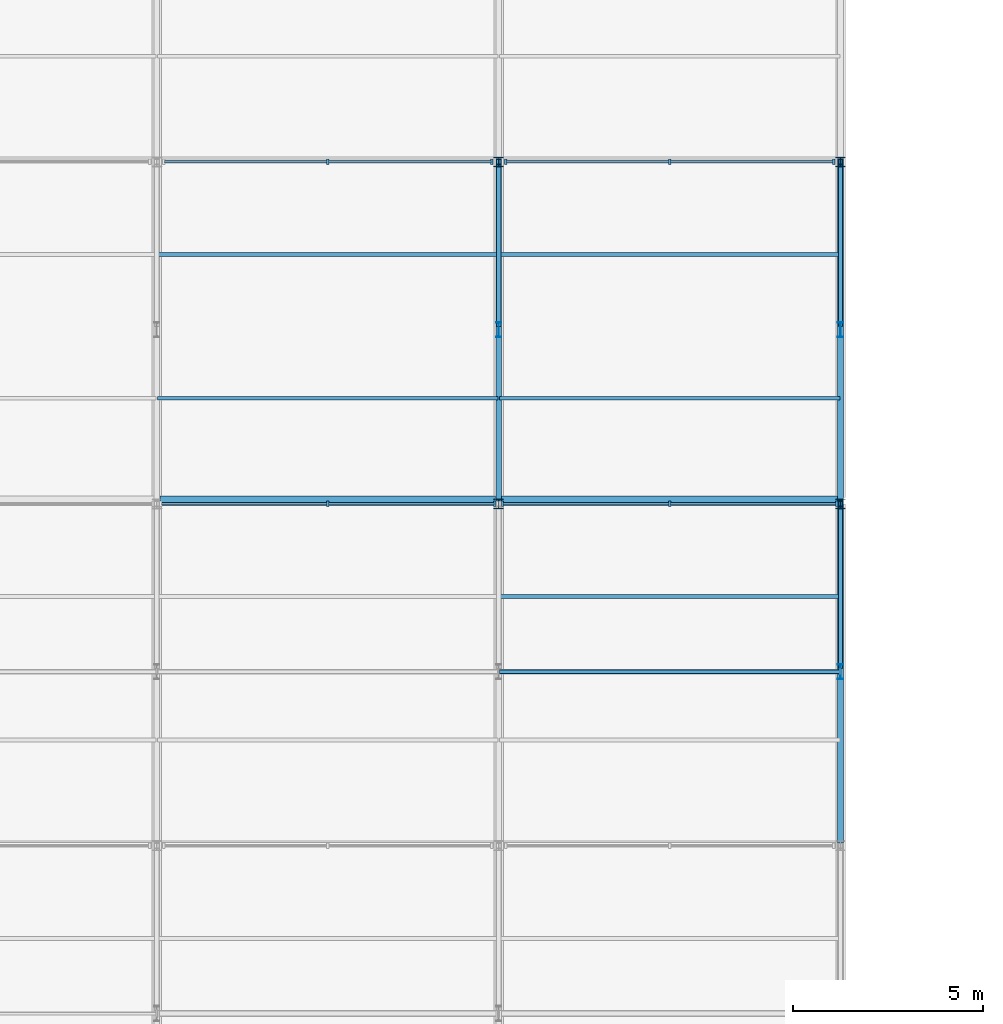
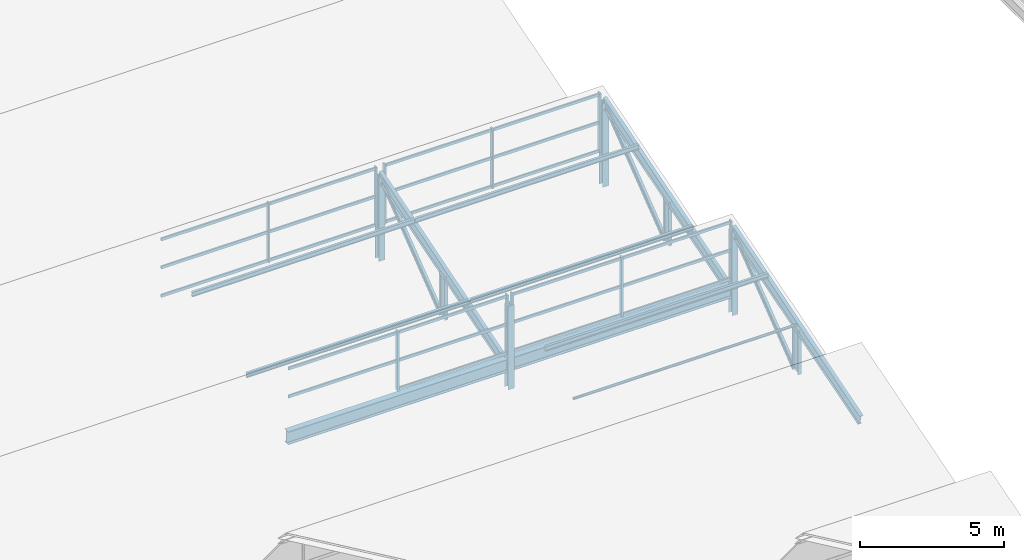
# One storey, part 78 of 163: 52 members, 2 beams, 4 elements without a shape of their own.
"""IFC4 building model written with IfcOpenShell, lengths in metres."""

import ifcopenshell
import ifcopenshell.guid

model = None  # the IFC model being written
_history = None  # IfcOwnerHistory: only IFC2X3 demands one
_inside = {}  # id of a spatial element -> (the spatial element, [elements in it])
_under = {}  # id of a project, library or spatial element -> (it, [spatial elements below it])
_declared = {}  # id of a project -> (the project, [libraries it declares])
_typed = {}  # id of a type object -> (the type object, [elements of that type])
_made_of = {}  # id of a material, layer set ... -> (it, [elements and type objects made of it])


def new_model(schema):
    """Start an empty IFC model of exactly this schema.

    Asked for "IFC4X3", IfcOpenShell would pick the latest addendum, in which some entities
    have other attributes; the version numbers below select the first issue.
    IFC2X3 requires an IfcOwnerHistory on every rooted entity: one is made here for all.
    """
    global model, _history
    if schema == "IFC4X3":
        model = ifcopenshell.file(schema_version=(4, 3, 0, 0))
    else:
        model = ifcopenshell.file(schema=schema)
    _inside.clear()
    _under.clear()
    _declared.clear()
    _typed.clear()
    _made_of.clear()
    _history = None
    if model.schema == "IFC2X3":
        org = make("IfcOrganization", Name="unknown")
        user = make(
            "IfcPersonAndOrganization",
            ThePerson=make("IfcPerson", FamilyName="unknown"),
            TheOrganization=org,
        )
        app = make(
            "IfcApplication",
            ApplicationDeveloper=org,
            Version="unknown",
            ApplicationFullName="unknown",
            ApplicationIdentifier="unknown",
        )
        _history = make(
            "IfcOwnerHistory",
            OwningUser=user,
            OwningApplication=app,
            ChangeAction="ADDED",
            CreationDate=0,
        )
    return model


def make(cls, **values):
    """One entity of the class cls with the attributes given. An attribute that is None is left unset."""
    return model.create_entity(
        cls, **{name: value for name, value in values.items() if value is not None}
    )


def rooted(cls, **values):
    """An entity with a GlobalId (a new one), such as an element, a storey or a relation."""
    return make(cls, GlobalId=ifcopenshell.guid.new(), OwnerHistory=_history, **values)


def si_unit(unit_type, name, prefix=None):
    """IfcSIUnit, for example si_unit("LENGTHUNIT", "METRE", prefix="MILLI")."""
    return make("IfcSIUnit", UnitType=unit_type, Prefix=prefix, Name=name)


def assignment(units):
    """IfcUnitAssignment: the units of a project."""
    return None if units is None else make("IfcUnitAssignment", Units=units)


def point(xyz):
    """IfcCartesianPoint."""
    return None if xyz is None else make("IfcCartesianPoint", Coordinates=xyz)


def direction(xyz):
    """IfcDirection."""
    return None if xyz is None else make("IfcDirection", DirectionRatios=xyz)


def frame(location, z_axis=None, x_axis=None):
    """IfcAxis2Placement3D, a coordinate frame: its origin and axes. An axis left out is left unset."""
    return make(
        "IfcAxis2Placement3D",
        Location=point(location),
        Axis=direction(z_axis),
        RefDirection=direction(x_axis),
    )


def frame_2d(location, x_axis=None):
    """IfcAxis2Placement2D, a coordinate frame in the plane: its origin and x axis."""
    return make(
        "IfcAxis2Placement2D", Location=point(location), RefDirection=direction(x_axis)
    )


def origin():
    """The frame at (0, 0, 0) with its axes left unset."""
    return frame((0.0, 0.0, 0.0))


def origin_2d():
    """The frame at (0, 0) in the plane with its x axis left unset."""
    return frame_2d((0.0, 0.0))


def place(relative_to, where):
    """IfcLocalPlacement: puts the frame where relative to a parent placement (None: the world)."""
    return make(
        "IfcLocalPlacement", PlacementRelTo=relative_to, RelativePlacement=where
    )


def context(
    kind, dimensions, precision=None, world=None, true_north=None, identifier=None
):
    """IfcGeometricRepresentationContext, for example the 3D "Model" context."""
    return make(
        "IfcGeometricRepresentationContext",
        ContextIdentifier=identifier,
        ContextType=kind,
        CoordinateSpaceDimension=dimensions,
        Precision=precision,
        WorldCoordinateSystem=world,
        TrueNorth=true_north,
    )


def subcontext(parent, identifier, kind, view, scale=None):
    """IfcGeometricRepresentationSubContext, for example "Body" below "Model"."""
    return make(
        "IfcGeometricRepresentationSubContext",
        ContextIdentifier=identifier,
        ContextType=kind,
        ParentContext=parent,
        TargetScale=scale,
        TargetView=view,
    )


def project(units=None, contexts=None):
    """IfcProject with its units and contexts."""
    return rooted(
        "IfcProject",
        Name="project",
        RepresentationContexts=contexts,
        UnitsInContext=assignment(units),
    )


def spatial(cls, under=None, at=None, **own):
    """A site, building, storey or space (cls), placed at a placement, below another one or the project."""
    s = rooted(cls, ObjectPlacement=at, **own)
    if under is not None:
        _under.setdefault(under.id(), (under, []))[1].append(s)
    return s


def profile(cls, at=None, kind="AREA", **sizes):
    """A parametric profile (cls). Its sizes go by their IFC names, for example OverallWidth=200.0."""
    return make(cls, ProfileType=kind, Position=at, **sizes)


def rectangle(**sizes):
    """IfcRectangleProfileDef."""
    return profile("IfcRectangleProfileDef", **sizes)


def hollow_circle(**sizes):
    """IfcCircleHollowProfileDef."""
    return profile("IfcCircleHollowProfileDef", **sizes)


def i_section(**sizes):
    """IfcIShapeProfileDef."""
    return profile("IfcIShapeProfileDef", **sizes)


def extrude(swept, where, along, depth):
    """IfcExtrudedAreaSolid: the profile swept, set in the frame where, extruded along a direction by depth."""
    return make(
        "IfcExtrudedAreaSolid",
        SweptArea=swept,
        Position=where,
        ExtrudedDirection=direction(along),
        Depth=depth,
    )


def shape(context_of_items, identifier, shape_type, items):
    """IfcShapeRepresentation: the items that make up one representation, for example the "Body"."""
    return make(
        "IfcShapeRepresentation",
        ContextOfItems=context_of_items,
        RepresentationIdentifier=identifier,
        RepresentationType=shape_type,
        Items=items,
    )


def material(Name=None, Category=None):
    """IfcMaterial."""
    return make("IfcMaterial", Name=Name, Category=Category)


def material_profile(
    of_material, cross_section, Name=None, Category=None, Priority=None
):
    """IfcMaterialProfile: a cross section and its material."""
    return make(
        "IfcMaterialProfile",
        Name=Name,
        Material=of_material,
        Profile=cross_section,
        Priority=Priority,
        Category=Category,
    )


def profile_set(profiles, Name=None, composite=None):
    """IfcMaterialProfileSet."""
    return make(
        "IfcMaterialProfileSet",
        Name=Name,
        MaterialProfiles=profiles,
        CompositeProfile=composite,
    )


def made_of(thing, what):
    """Note that an element or type object is made of a material, layer set ...; save() writes the relation."""
    if what is not None:
        _made_of.setdefault(what.id(), (what, []))[1].append(thing)
    return thing


def type_object(cls, material=None, **own):
    """A type object (cls), such as IfcWallType, which elements share."""
    return made_of(rooted(cls, **own), material)


def element(
    cls,
    number,
    at=None,
    inside=None,
    cuts=None,
    type_object=None,
    material=None,
    context=None,
    identifier="Body",
    shape_type=None,
    held_by="IfcProductDefinitionShape",
    body=None,
    shapes=None,
    **own,
):
    """One element of the class cls, such as IfcWall. Its Tag is "e" and its number.

    at: its placement. inside: the storey or other place that contains it. cuts: it is an
    opening in that element (IfcRelVoidsElement). A single representation is given by context,
    identifier, shape_type and body (its items); several are given by shapes. held_by: the class
    of the entity that holds the representations. save() writes the other relations.
    """
    e = rooted(cls, Tag="e%d" % number, ObjectPlacement=at, **own)
    if body is not None:
        shapes = [shape(context, identifier, shape_type, body)]
    if shapes is not None:
        e.Representation = make(held_by, Representations=shapes)
    if inside is not None:
        _inside.setdefault(inside.id(), (inside, []))[1].append(e)
    if cuts is not None:
        rooted(
            "IfcRelVoidsElement", RelatingBuildingElement=cuts, RelatedOpeningElement=e
        )
    if type_object is not None:
        _typed.setdefault(type_object.id(), (type_object, []))[1].append(e)
    return made_of(e, material)


def aggregate(whole, parts):
    """IfcRelAggregates: a whole, such as a stair, and the parts it consists of."""
    return rooted("IfcRelAggregates", RelatingObject=whole, RelatedObjects=parts)


def save(model, path):
    """Write the relations noted so far, then the file.

    IfcRelAggregates (storeys below a building ...), IfcRelContainedInSpatialStructure (elements
    in a storey), IfcRelDefinesByType, IfcRelAssociatesMaterial and IfcRelDeclares: one each for
    every whole, place, type object, material and project.
    """
    for whole, parts in _under.values():
        aggregate(whole, parts)
    for where, things in _inside.values():
        rooted(
            "IfcRelContainedInSpatialStructure",
            RelatedElements=things,
            RelatingStructure=where,
        )
    for kind, things in _typed.values():
        rooted("IfcRelDefinesByType", RelatedObjects=things, RelatingType=kind)
    for what, things in _made_of.values():
        rooted("IfcRelAssociatesMaterial", RelatedObjects=things, RelatingMaterial=what)
    for by, libraries in _declared.values():
        rooted("IfcRelDeclares", RelatingContext=by, RelatedDefinitions=libraries)
    model.write(path)


model = new_model("IFC4")

# Units and contexts
model_context = context("Model", 3, precision=1e-05, world=origin(), true_north=direction((0.0, 1.0)))
body_context = subcontext(model_context, "Body", "Model", "MODEL_VIEW")
ifc_project = project(units=[si_unit("LENGTHUNIT", "METRE"), si_unit("AREAUNIT", "SQUARE_METRE"), si_unit("VOLUMEUNIT", "CUBIC_METRE"), si_unit("PLANEANGLEUNIT", "RADIAN"), si_unit("MASSUNIT", "GRAM", prefix="KILO")], contexts=[model_context])

# Site, building, storey
site_placement = place(None, origin())
site = spatial("IfcSite", under=ifc_project, at=site_placement, CompositionType="ELEMENT")
building_placement = place(site_placement, origin())
building = spatial("IfcBuilding", under=site, at=building_placement, Name="Tharagai Park Tramway Depot", CompositionType="ELEMENT")
storey_placement = place(building_placement, frame((0.0, 0.0, 8.39990234375)))
storey = spatial("IfcBuildingStorey", under=building, at=storey_placement, Name="L02", CompositionType="ELEMENT", Elevation=8.39990234375)

# Beams
ifc_material_1 = material(Name="Steel E350", Category="steel")
ifc_material_profile_1 = material_profile(ifc_material_1, i_section(OverallWidth=0.25, OverallDepth=0.550048828125, WebThickness=0.010498046875, FlangeThickness=0.017578125, FilletRadius=0.01611328125, at=origin_2d()), Name="ISWB 550")
ifc_profile_set_1 = profile_set([ifc_material_profile_1], Name="Steel E350")
beam_type = type_object("IfcBeamType", Name="BM-04", PredefinedType="BEAM", material=ifc_profile_set_1)
for number, where, z_axis, x_axis, name in (
    (1, (126.080078125, 117.0, 0.72509765625), (1.0, 0.0, 0.0), (0.0, 1.0, 0.0), "Sawtooth Valley Girder BM-04"),
    (2, (135.080078125, 117.0, 0.72509765625), (1.0, 0.0, 0.0), (0.0, 1.0, 0.0), "Sawtooth Valley Girder BM-04"),
):
    element("IfcBeam", number, at=place(storey_placement, frame(where, z_axis=z_axis, x_axis=x_axis)), inside=storey, type_object=beam_type, Name=name, PredefinedType="BEAM", context=body_context, shape_type="SweptSolid", body=[
        extrude(i_section(OverallWidth=0.25, OverallDepth=0.550048828125, WebThickness=0.010498046875, FlangeThickness=0.017578125, FilletRadius=0.01611328125, at=origin_2d()), origin(), (0.0, 0.0, 1.0), 8.83984375),
    ])

# Members
ifc_material_profile_2 = material_profile(ifc_material_1, i_section(OverallWidth=0.25, OverallDepth=0.25, WebThickness=0.0087890625, FlangeThickness=0.009765625, FilletRadius=0.010009765625, at=origin_2d()), Name="ISHB 250")
ifc_profile_set_2 = profile_set([ifc_material_profile_2], Name="Steel E350")
member_type_1 = type_object("IfcMemberType", Name="BR-01", PredefinedType="BRACE", material=ifc_profile_set_2)
for number, where, z_axis, x_axis, name in (
    (3, (135.0, 116.919921875, -0.25), (0.0, 0.0, 1.0), (1.0, 0.0, 0.0), "Sawtooth North Vertical Post BR-01"),
    (4, (135.0, 125.919921875, -0.25), (0.0, 0.0, 1.0), (1.0, 0.0, 0.0), "Sawtooth North Vertical Post BR-01"),
    (5, (144.0, 116.919921875, -0.25), (0.0, 0.0, 1.0), (1.0, 0.0, 0.0), "Sawtooth North Vertical Post BR-01"),
    (6, (144.0, 125.919921875, -0.25), (0.0, 0.0, 1.0), (1.0, 0.0, 0.0), "Sawtooth North Vertical Post BR-01"),
):
    element("IfcMember", number, at=place(storey_placement, frame(where, z_axis=z_axis, x_axis=x_axis)), inside=storey, type_object=member_type_1, Name=name, PredefinedType="BRACE", context=body_context, shape_type="SweptSolid", body=[
        extrude(i_section(OverallWidth=0.25, OverallDepth=0.25, WebThickness=0.0087890625, FlangeThickness=0.009765625, FilletRadius=0.010009765625, at=origin_2d()), origin(), (0.0, 0.0, 1.0), 3.55517578125),
    ])
ifc_material_profile_3 = material_profile(ifc_material_1, i_section(OverallWidth=0.110107421875, OverallDepth=0.22509765625, WebThickness=0.006591796875, FlangeThickness=0.01171875, FilletRadius=0.011962890625, at=origin_2d()), Name="ISMB 225")
ifc_profile_set_3 = profile_set([ifc_material_profile_3], Name="Steel E350")
member_type_2 = type_object("IfcMemberType", Name="BR-04", PredefinedType="BRACE", material=ifc_profile_set_3)
for number, where, z_axis, x_axis, name in (
    (7, (135.0, 121.64990234375, 0.0), (0.0, 0.790781596, 0.612098413188), (-1.0, 0.0, 0.0), "Sawtooth Truss Web Diagonal BR-04"),
    (8, (144.0, 112.64990234375, 0.0), (0.0, 0.790781596, 0.612098413188), (-1.0, 0.0, 0.0), "Sawtooth Truss Web Diagonal BR-04"),
    (9, (144.0, 121.64990234375, 0.0), (0.0, 0.790781596, 0.612098413188), (-1.0, 0.0, 0.0), "Sawtooth Truss Web Diagonal BR-04"),
):
    element("IfcMember", number, at=place(storey_placement, frame(where, z_axis=z_axis, x_axis=x_axis)), inside=storey, type_object=member_type_2, Name=name, PredefinedType="BRACE", context=body_context, shape_type="SweptSolid", body=[
        extrude(i_section(OverallWidth=0.110107421875, OverallDepth=0.22509765625, WebThickness=0.006591796875, FlangeThickness=0.01171875, FilletRadius=0.011962890625, at=origin_2d()), origin(), (0.0, 0.0, 1.0), 5.399658203125),
    ])
ifc_material_2 = material(Name="Steel E250", Category="steel")
ifc_material_profile_4 = material_profile(ifc_material_2, hollow_circle(Radius=0.05712890625, WallThickness=0.0048828125, at=origin_2d()), Name="CHS 114.3x5")
ifc_profile_set_4 = profile_set([ifc_material_profile_4], Name="Steel E250")
member_type_3 = type_object("IfcMemberType", Name="BR-06", PredefinedType="BRACE", material=ifc_profile_set_4)
member_1_placement = place(storey_placement, frame((135.02001953125, 112.5, 1.946533203125), z_axis=(1.0, 0.0, 0.0), x_axis=(0.0, 1.0, 0.0)))
element("IfcMember", 10, at=member_1_placement, inside=storey, type_object=member_type_3, Name="Sawtooth Tubular Tie Strut BR-06", PredefinedType="BRACE", context=body_context, shape_type="SweptSolid", body=[
    extrude(hollow_circle(Radius=0.05712890625, WallThickness=0.0048828125, at=origin_2d()), origin(), (0.0, 0.0, 1.0), 8.9599609375),
])

# Curtain wall, members
ifc_material_3 = material(Name="Anodised aluminium", Category="aluminium")
curtain_wall_type_1 = type_object("IfcCurtainWallType", Name="CW-04", PredefinedType="NOTDEFINED", material=ifc_material_3)
curtain_wall_1_placement = place(storey_placement, origin())
curtain_wall_1 = element("IfcCurtainWall", 11, at=curtain_wall_1_placement, inside=storey, type_object=curtain_wall_type_1, Name="Sawtooth North-Light Clerestory CW-04", PredefinedType="NOTDEFINED")
ifc_material_profile_5 = material_profile(ifc_material_3, rectangle(XDim=0.06494140625, YDim=0.1201171875, at=origin_2d()), Name="ALU 65x120")
ifc_profile_set_5 = profile_set([ifc_material_profile_5], Name="Anodised aluminium")
member_type_4 = type_object("IfcMemberType", Name="CM-01", PredefinedType="USERDEFINED", material=ifc_profile_set_5)
member_2_placement = place(storey_placement, frame((126.114990234375, 116.919921875, 2.4736328125), z_axis=(1.0, 0.0, 0.0), x_axis=(0.0, 1.0, 0.0)))
member_2 = element("IfcMember", 12, at=member_2_placement, type_object=member_type_4, Name="Sawtooth North-Light Clerestory Transom 1.2", ObjectType="TRANSOM", PredefinedType="USERDEFINED", context=body_context, shape_type="SweptSolid", body=[
    extrude(rectangle(XDim=0.06494140625, YDim=0.1201171875, at=origin_2d()), origin(), (0.0, 0.0, 1.0), 4.3701171875),
])
member_3_placement = place(storey_placement, frame((126.114990234375, 116.919921875, 3.662353515625), z_axis=(1.0, 0.0, 0.0), x_axis=(0.0, 1.0, 0.0)))
member_3 = element("IfcMember", 13, at=member_3_placement, type_object=member_type_4, Name="Sawtooth North-Light Clerestory Transom 1.3", ObjectType="TRANSOM", PredefinedType="USERDEFINED", context=body_context, shape_type="SweptSolid", body=[
    extrude(rectangle(XDim=0.06494140625, YDim=0.1201171875, at=origin_2d()), origin(), (0.0, 0.0, 1.0), 4.3701171875),
])
member_4_placement = place(storey_placement, frame((130.514892578125, 116.919921875, 1.26513671875), z_axis=(1.0, 0.0, 0.0), x_axis=(0.0, 1.0, 0.0)))
member_4 = element("IfcMember", 14, at=member_4_placement, type_object=member_type_4, Name="Sawtooth North-Light Clerestory Transom 2.1", ObjectType="TRANSOM", PredefinedType="USERDEFINED", context=body_context, shape_type="SweptSolid", body=[
    extrude(rectangle(XDim=0.06494140625, YDim=0.1201171875, at=origin_2d()), origin(), (0.0, 0.0, 1.0), 4.3701171875),
])
member_5_placement = place(storey_placement, frame((130.514892578125, 116.919921875, 2.4736328125), z_axis=(1.0, 0.0, 0.0), x_axis=(0.0, 1.0, 0.0)))
member_5 = element("IfcMember", 15, at=member_5_placement, type_object=member_type_4, Name="Sawtooth North-Light Clerestory Transom 2.2", ObjectType="TRANSOM", PredefinedType="USERDEFINED", context=body_context, shape_type="SweptSolid", body=[
    extrude(rectangle(XDim=0.06494140625, YDim=0.1201171875, at=origin_2d()), origin(), (0.0, 0.0, 1.0), 4.3701171875),
])
member_6_placement = place(storey_placement, frame((130.514892578125, 116.919921875, 3.662353515625), z_axis=(1.0, 0.0, 0.0), x_axis=(0.0, 1.0, 0.0)))
member_6 = element("IfcMember", 16, at=member_6_placement, type_object=member_type_4, Name="Sawtooth North-Light Clerestory Transom 2.3", ObjectType="TRANSOM", PredefinedType="USERDEFINED", context=body_context, shape_type="SweptSolid", body=[
    extrude(rectangle(XDim=0.06494140625, YDim=0.1201171875, at=origin_2d()), origin(), (0.0, 0.0, 1.0), 4.3701171875),
])

curtain_wall_2_placement = place(storey_placement, origin())
curtain_wall_2 = element("IfcCurtainWall", 17, at=curtain_wall_2_placement, inside=storey, type_object=curtain_wall_type_1, Name="Sawtooth North-Light Clerestory CW-04", PredefinedType="NOTDEFINED")
member_7_placement = place(storey_placement, frame((135.114990234375, 116.919921875, 1.26513671875), z_axis=(1.0, 0.0, 0.0), x_axis=(0.0, 1.0, 0.0)))
member_7 = element("IfcMember", 18, at=member_7_placement, type_object=member_type_4, Name="Sawtooth North-Light Clerestory Transom 1.1", ObjectType="TRANSOM", PredefinedType="USERDEFINED", context=body_context, shape_type="SweptSolid", body=[
    extrude(rectangle(XDim=0.06494140625, YDim=0.1201171875, at=origin_2d()), origin(), (0.0, 0.0, 1.0), 4.3701171875),
])
member_8_placement = place(storey_placement, frame((135.114990234375, 116.919921875, 2.4736328125), z_axis=(1.0, 0.0, 0.0), x_axis=(0.0, 1.0, 0.0)))
member_8 = element("IfcMember", 19, at=member_8_placement, type_object=member_type_4, Name="Sawtooth North-Light Clerestory Transom 1.2", ObjectType="TRANSOM", PredefinedType="USERDEFINED", context=body_context, shape_type="SweptSolid", body=[
    extrude(rectangle(XDim=0.06494140625, YDim=0.1201171875, at=origin_2d()), origin(), (0.0, 0.0, 1.0), 4.3701171875),
])
member_9_placement = place(storey_placement, frame((135.114990234375, 116.919921875, 3.662353515625), z_axis=(1.0, 0.0, 0.0), x_axis=(0.0, 1.0, 0.0)))
member_9 = element("IfcMember", 20, at=member_9_placement, type_object=member_type_4, Name="Sawtooth North-Light Clerestory Transom 1.3", ObjectType="TRANSOM", PredefinedType="USERDEFINED", context=body_context, shape_type="SweptSolid", body=[
    extrude(rectangle(XDim=0.06494140625, YDim=0.1201171875, at=origin_2d()), origin(), (0.0, 0.0, 1.0), 4.3701171875),
])
member_10_placement = place(storey_placement, frame((139.514892578125, 116.919921875, 1.26513671875), z_axis=(1.0, 0.0, 0.0), x_axis=(0.0, 1.0, 0.0)))
member_10 = element("IfcMember", 21, at=member_10_placement, type_object=member_type_4, Name="Sawtooth North-Light Clerestory Transom 2.1", ObjectType="TRANSOM", PredefinedType="USERDEFINED", context=body_context, shape_type="SweptSolid", body=[
    extrude(rectangle(XDim=0.06494140625, YDim=0.1201171875, at=origin_2d()), origin(), (0.0, 0.0, 1.0), 4.3701171875),
])
member_11_placement = place(storey_placement, frame((139.514892578125, 116.919921875, 2.4736328125), z_axis=(1.0, 0.0, 0.0), x_axis=(0.0, 1.0, 0.0)))
member_11 = element("IfcMember", 22, at=member_11_placement, type_object=member_type_4, Name="Sawtooth North-Light Clerestory Transom 2.2", ObjectType="TRANSOM", PredefinedType="USERDEFINED", context=body_context, shape_type="SweptSolid", body=[
    extrude(rectangle(XDim=0.06494140625, YDim=0.1201171875, at=origin_2d()), origin(), (0.0, 0.0, 1.0), 4.3701171875),
])
member_12_placement = place(storey_placement, frame((139.514892578125, 116.919921875, 3.662353515625), z_axis=(1.0, 0.0, 0.0), x_axis=(0.0, 1.0, 0.0)))
member_12 = element("IfcMember", 23, at=member_12_placement, type_object=member_type_4, Name="Sawtooth North-Light Clerestory Transom 2.3", ObjectType="TRANSOM", PredefinedType="USERDEFINED", context=body_context, shape_type="SweptSolid", body=[
    extrude(rectangle(XDim=0.06494140625, YDim=0.1201171875, at=origin_2d()), origin(), (0.0, 0.0, 1.0), 4.3701171875),
])

curtain_wall_type_2 = type_object("IfcCurtainWallType", Name="CW-03", PredefinedType="NOTDEFINED", material=ifc_material_3)
curtain_wall_3_placement = place(storey_placement, origin())
curtain_wall_3 = element("IfcCurtainWall", 24, at=curtain_wall_3_placement, inside=storey, type_object=curtain_wall_type_2, Name="Sawtooth North-Light Clerestory CW-03", PredefinedType="NOTDEFINED")
member_13_placement = place(storey_placement, frame((126.195068359375, 125.919921875, 1.26513671875), z_axis=(1.0, 0.0, 0.0), x_axis=(0.0, 1.0, 0.0)))
member_13 = element("IfcMember", 25, at=member_13_placement, type_object=member_type_4, Name="Sawtooth North-Light Clerestory Transom 1.1", ObjectType="TRANSOM", PredefinedType="USERDEFINED", context=body_context, shape_type="SweptSolid", body=[
    extrude(rectangle(XDim=0.06494140625, YDim=0.1201171875, at=origin_2d()), origin(), (0.0, 0.0, 1.0), 4.2900390625),
])
member_14_placement = place(storey_placement, frame((126.195068359375, 125.919921875, 2.4736328125), z_axis=(1.0, 0.0, 0.0), x_axis=(0.0, 1.0, 0.0)))
member_14 = element("IfcMember", 26, at=member_14_placement, type_object=member_type_4, Name="Sawtooth North-Light Clerestory Transom 1.2", ObjectType="TRANSOM", PredefinedType="USERDEFINED", context=body_context, shape_type="SweptSolid", body=[
    extrude(rectangle(XDim=0.06494140625, YDim=0.1201171875, at=origin_2d()), origin(), (0.0, 0.0, 1.0), 4.2900390625),
])
member_15_placement = place(storey_placement, frame((126.195068359375, 125.919921875, 3.662353515625), z_axis=(1.0, 0.0, 0.0), x_axis=(0.0, 1.0, 0.0)))
member_15 = element("IfcMember", 27, at=member_15_placement, type_object=member_type_4, Name="Sawtooth North-Light Clerestory Transom 1.3", ObjectType="TRANSOM", PredefinedType="USERDEFINED", context=body_context, shape_type="SweptSolid", body=[
    extrude(rectangle(XDim=0.06494140625, YDim=0.1201171875, at=origin_2d()), origin(), (0.0, 0.0, 1.0), 4.2900390625),
])
member_16_placement = place(storey_placement, frame((130.514892578125, 125.919921875, 1.26513671875), z_axis=(1.0, 0.0, 0.0), x_axis=(0.0, 1.0, 0.0)))
member_16 = element("IfcMember", 28, at=member_16_placement, type_object=member_type_4, Name="Sawtooth North-Light Clerestory Transom 2.1", ObjectType="TRANSOM", PredefinedType="USERDEFINED", context=body_context, shape_type="SweptSolid", body=[
    extrude(rectangle(XDim=0.06494140625, YDim=0.1201171875, at=origin_2d()), origin(), (0.0, 0.0, 1.0), 4.2900390625),
])
member_17_placement = place(storey_placement, frame((130.514892578125, 125.919921875, 2.4736328125), z_axis=(1.0, 0.0, 0.0), x_axis=(0.0, 1.0, 0.0)))
member_17 = element("IfcMember", 29, at=member_17_placement, type_object=member_type_4, Name="Sawtooth North-Light Clerestory Transom 2.2", ObjectType="TRANSOM", PredefinedType="USERDEFINED", context=body_context, shape_type="SweptSolid", body=[
    extrude(rectangle(XDim=0.06494140625, YDim=0.1201171875, at=origin_2d()), origin(), (0.0, 0.0, 1.0), 4.2900390625),
])
member_18_placement = place(storey_placement, frame((130.514892578125, 125.919921875, 3.662353515625), z_axis=(1.0, 0.0, 0.0), x_axis=(0.0, 1.0, 0.0)))
member_18 = element("IfcMember", 30, at=member_18_placement, type_object=member_type_4, Name="Sawtooth North-Light Clerestory Transom 2.3", ObjectType="TRANSOM", PredefinedType="USERDEFINED", context=body_context, shape_type="SweptSolid", body=[
    extrude(rectangle(XDim=0.06494140625, YDim=0.1201171875, at=origin_2d()), origin(), (0.0, 0.0, 1.0), 4.2900390625),
])

curtain_wall_4_placement = place(storey_placement, origin())
curtain_wall_4 = element("IfcCurtainWall", 31, at=curtain_wall_4_placement, inside=storey, type_object=curtain_wall_type_2, Name="Sawtooth North-Light Clerestory CW-03", PredefinedType="NOTDEFINED")
member_19_placement = place(storey_placement, frame((135.195068359375, 125.919921875, 1.26513671875), z_axis=(1.0, 0.0, 0.0), x_axis=(0.0, 1.0, 0.0)))
member_19 = element("IfcMember", 32, at=member_19_placement, type_object=member_type_4, Name="Sawtooth North-Light Clerestory Transom 1.1", ObjectType="TRANSOM", PredefinedType="USERDEFINED", context=body_context, shape_type="SweptSolid", body=[
    extrude(rectangle(XDim=0.06494140625, YDim=0.1201171875, at=origin_2d()), origin(), (0.0, 0.0, 1.0), 4.2900390625),
])
member_20_placement = place(storey_placement, frame((135.195068359375, 125.919921875, 2.4736328125), z_axis=(1.0, 0.0, 0.0), x_axis=(0.0, 1.0, 0.0)))
member_20 = element("IfcMember", 33, at=member_20_placement, type_object=member_type_4, Name="Sawtooth North-Light Clerestory Transom 1.2", ObjectType="TRANSOM", PredefinedType="USERDEFINED", context=body_context, shape_type="SweptSolid", body=[
    extrude(rectangle(XDim=0.06494140625, YDim=0.1201171875, at=origin_2d()), origin(), (0.0, 0.0, 1.0), 4.2900390625),
])
member_21_placement = place(storey_placement, frame((135.195068359375, 125.919921875, 3.662353515625), z_axis=(1.0, 0.0, 0.0), x_axis=(0.0, 1.0, 0.0)))
member_21 = element("IfcMember", 34, at=member_21_placement, type_object=member_type_4, Name="Sawtooth North-Light Clerestory Transom 1.3", ObjectType="TRANSOM", PredefinedType="USERDEFINED", context=body_context, shape_type="SweptSolid", body=[
    extrude(rectangle(XDim=0.06494140625, YDim=0.1201171875, at=origin_2d()), origin(), (0.0, 0.0, 1.0), 4.2900390625),
])
member_22_placement = place(storey_placement, frame((139.514892578125, 125.919921875, 1.26513671875), z_axis=(1.0, 0.0, 0.0), x_axis=(0.0, 1.0, 0.0)))
member_22 = element("IfcMember", 35, at=member_22_placement, type_object=member_type_4, Name="Sawtooth North-Light Clerestory Transom 2.1", ObjectType="TRANSOM", PredefinedType="USERDEFINED", context=body_context, shape_type="SweptSolid", body=[
    extrude(rectangle(XDim=0.06494140625, YDim=0.1201171875, at=origin_2d()), origin(), (0.0, 0.0, 1.0), 4.2900390625),
])
member_23_placement = place(storey_placement, frame((139.514892578125, 125.919921875, 2.4736328125), z_axis=(1.0, 0.0, 0.0), x_axis=(0.0, 1.0, 0.0)))
member_23 = element("IfcMember", 36, at=member_23_placement, type_object=member_type_4, Name="Sawtooth North-Light Clerestory Transom 2.2", ObjectType="TRANSOM", PredefinedType="USERDEFINED", context=body_context, shape_type="SweptSolid", body=[
    extrude(rectangle(XDim=0.06494140625, YDim=0.1201171875, at=origin_2d()), origin(), (0.0, 0.0, 1.0), 4.2900390625),
])
member_24_placement = place(storey_placement, frame((139.514892578125, 125.919921875, 3.662353515625), z_axis=(1.0, 0.0, 0.0), x_axis=(0.0, 1.0, 0.0)))
member_24 = element("IfcMember", 37, at=member_24_placement, type_object=member_type_4, Name="Sawtooth North-Light Clerestory Transom 2.3", ObjectType="TRANSOM", PredefinedType="USERDEFINED", context=body_context, shape_type="SweptSolid", body=[
    extrude(rectangle(XDim=0.06494140625, YDim=0.1201171875, at=origin_2d()), origin(), (0.0, 0.0, 1.0), 4.2900390625),
])

# Member
ifc_material_profile_6 = material_profile(ifc_material_3, rectangle(XDim=0.06494140625, YDim=0.14990234375, at=origin_2d()), Name="ALU 65x150")
ifc_profile_set_6 = profile_set([ifc_material_profile_6], Name="Anodised aluminium")
member_type_5 = type_object("IfcMemberType", Name="CM-03", PredefinedType="MULLION", material=ifc_profile_set_6)
member_25_placement = place(storey_placement, frame((130.5, 116.919921875, 1.2001953125), z_axis=(0.0, 0.0, 1.0), x_axis=(1.0, 0.0, 0.0)))
member_25 = element("IfcMember", 38, at=member_25_placement, type_object=member_type_5, Name="Sawtooth North-Light Clerestory Mullion 2", PredefinedType="MULLION", context=body_context, shape_type="SweptSolid", body=[
    extrude(rectangle(XDim=0.06494140625, YDim=0.14990234375, at=origin_2d()), origin(), (0.0, 0.0, 1.0), 2.547119140625),
])

member_26_placement = place(storey_placement, frame((134.89990234375, 116.919921875, 1.2001953125), z_axis=(0.0, 0.0, 1.0), x_axis=(1.0, 0.0, 0.0)))
member_26 = element("IfcMember", 39, at=member_26_placement, type_object=member_type_5, Name="Sawtooth North-Light Clerestory Mullion 3", PredefinedType="MULLION", context=body_context, shape_type="SweptSolid", body=[
    extrude(rectangle(XDim=0.06494140625, YDim=0.14990234375, at=origin_2d()), origin(), (0.0, 0.0, 1.0), 2.547119140625),
])

aggregate(curtain_wall_1, [member_25, member_26, member_2, member_3, member_4, member_5, member_6])

member_27_placement = place(storey_placement, frame((135.10009765625, 116.919921875, 1.2001953125), z_axis=(0.0, 0.0, 1.0), x_axis=(1.0, 0.0, 0.0)))
member_27 = element("IfcMember", 40, at=member_27_placement, type_object=member_type_5, Name="Sawtooth North-Light Clerestory Mullion 1", PredefinedType="MULLION", context=body_context, shape_type="SweptSolid", body=[
    extrude(rectangle(XDim=0.06494140625, YDim=0.14990234375, at=origin_2d()), origin(), (0.0, 0.0, 1.0), 2.547119140625),
])

member_28_placement = place(storey_placement, frame((139.5, 116.919921875, 1.2001953125), z_axis=(0.0, 0.0, 1.0), x_axis=(1.0, 0.0, 0.0)))
member_28 = element("IfcMember", 41, at=member_28_placement, type_object=member_type_5, Name="Sawtooth North-Light Clerestory Mullion 2", PredefinedType="MULLION", context=body_context, shape_type="SweptSolid", body=[
    extrude(rectangle(XDim=0.06494140625, YDim=0.14990234375, at=origin_2d()), origin(), (0.0, 0.0, 1.0), 2.547119140625),
])

member_29_placement = place(storey_placement, frame((143.89990234375, 116.919921875, 1.2001953125), z_axis=(0.0, 0.0, 1.0), x_axis=(1.0, 0.0, 0.0)))
member_29 = element("IfcMember", 42, at=member_29_placement, type_object=member_type_5, Name="Sawtooth North-Light Clerestory Mullion 3", PredefinedType="MULLION", context=body_context, shape_type="SweptSolid", body=[
    extrude(rectangle(XDim=0.06494140625, YDim=0.14990234375, at=origin_2d()), origin(), (0.0, 0.0, 1.0), 2.547119140625),
])

aggregate(curtain_wall_2, [member_27, member_28, member_29, member_7, member_8, member_9, member_10, member_11, member_12])

member_30_placement = place(storey_placement, frame((130.5, 125.919921875, 1.2001953125), z_axis=(0.0, 0.0, 1.0), x_axis=(1.0, 0.0, 0.0)))
member_30 = element("IfcMember", 43, at=member_30_placement, type_object=member_type_5, Name="Sawtooth North-Light Clerestory Mullion 2", PredefinedType="MULLION", context=body_context, shape_type="SweptSolid", body=[
    extrude(rectangle(XDim=0.06494140625, YDim=0.14990234375, at=origin_2d()), origin(), (0.0, 0.0, 1.0), 2.547119140625),
])

member_31_placement = place(storey_placement, frame((134.820068359375, 125.919921875, 1.2001953125), z_axis=(0.0, 0.0, 1.0), x_axis=(1.0, 0.0, 0.0)))
member_31 = element("IfcMember", 44, at=member_31_placement, type_object=member_type_5, Name="Sawtooth North-Light Clerestory Mullion 3", PredefinedType="MULLION", context=body_context, shape_type="SweptSolid", body=[
    extrude(rectangle(XDim=0.06494140625, YDim=0.14990234375, at=origin_2d()), origin(), (0.0, 0.0, 1.0), 2.547119140625),
])

aggregate(curtain_wall_3, [member_30, member_31, member_13, member_14, member_15, member_16, member_17, member_18])

member_32_placement = place(storey_placement, frame((135.179931640625, 125.919921875, 1.2001953125), z_axis=(0.0, 0.0, 1.0), x_axis=(1.0, 0.0, 0.0)))
member_32 = element("IfcMember", 45, at=member_32_placement, type_object=member_type_5, Name="Sawtooth North-Light Clerestory Mullion 1", PredefinedType="MULLION", context=body_context, shape_type="SweptSolid", body=[
    extrude(rectangle(XDim=0.06494140625, YDim=0.14990234375, at=origin_2d()), origin(), (0.0, 0.0, 1.0), 2.547119140625),
])

member_33_placement = place(storey_placement, frame((139.5, 125.919921875, 1.2001953125), z_axis=(0.0, 0.0, 1.0), x_axis=(1.0, 0.0, 0.0)))
member_33 = element("IfcMember", 46, at=member_33_placement, type_object=member_type_5, Name="Sawtooth North-Light Clerestory Mullion 2", PredefinedType="MULLION", context=body_context, shape_type="SweptSolid", body=[
    extrude(rectangle(XDim=0.06494140625, YDim=0.14990234375, at=origin_2d()), origin(), (0.0, 0.0, 1.0), 2.547119140625),
])

member_34_placement = place(storey_placement, frame((143.820068359375, 125.919921875, 1.2001953125), z_axis=(0.0, 0.0, 1.0), x_axis=(1.0, 0.0, 0.0)))
member_34 = element("IfcMember", 47, at=member_34_placement, type_object=member_type_5, Name="Sawtooth North-Light Clerestory Mullion 3", PredefinedType="MULLION", context=body_context, shape_type="SweptSolid", body=[
    extrude(rectangle(XDim=0.06494140625, YDim=0.14990234375, at=origin_2d()), origin(), (0.0, 0.0, 1.0), 2.547119140625),
])

aggregate(curtain_wall_4, [member_32, member_33, member_34, member_19, member_20, member_21, member_22, member_23, member_24])

# Members
ifc_material_profile_7 = material_profile(ifc_material_2, i_section(OverallWidth=0.10009765625, OverallDepth=0.199951171875, WebThickness=0.00537109375, FlangeThickness=0.00732421875, FilletRadius=0.009033203125, at=origin_2d()), Name="ISLB 200")
ifc_profile_set_7 = profile_set([ifc_material_profile_7], Name="Steel E250")
member_type_6 = type_object("IfcMemberType", Name="PR-03", PredefinedType="PURLIN", material=ifc_profile_set_7)
for number, where, z_axis, x_axis, name in (
    (48, (126.02001953125, 119.699951171875, 1.733154296875), (1.0, 0.0, 0.0), (0.0, 1.0, 0.0), "Sawtooth Roof Purlin PR-03"),
    (49, (126.02001953125, 123.47998046875, 2.87451171875), (1.0, 0.0, 0.0), (0.0, 1.0, 0.0), "Sawtooth Roof Purlin PR-03"),
    (50, (135.02001953125, 119.699951171875, 1.733154296875), (1.0, 0.0, 0.0), (0.0, 1.0, 0.0), "Sawtooth Roof Purlin PR-03"),
    (51, (135.02001953125, 123.47998046875, 2.87451171875), (1.0, 0.0, 0.0), (0.0, 1.0, 0.0), "Sawtooth Roof Purlin PR-03"),
):
    element("IfcMember", number, at=place(storey_placement, frame(where, z_axis=z_axis, x_axis=x_axis)), inside=storey, type_object=member_type_6, Name=name, PredefinedType="PURLIN", context=body_context, shape_type="SweptSolid", body=[
        extrude(i_section(OverallWidth=0.10009765625, OverallDepth=0.199951171875, WebThickness=0.00537109375, FlangeThickness=0.00732421875, FilletRadius=0.009033203125, at=origin_2d()), origin(), (0.0, 0.0, 1.0), 8.9599609375),
    ])
ifc_material_profile_8 = material_profile(ifc_material_2, i_section(OverallWidth=0.10009765625, OverallDepth=0.199951171875, WebThickness=0.005615234375, FlangeThickness=0.0107421875, FilletRadius=0.010986328125, at=origin_2d()), Name="ISMB 200")
ifc_profile_set_8 = profile_set([ifc_material_profile_8], Name="Steel E250")
member_type_7 = type_object("IfcMemberType", Name="PR-04", PredefinedType="PURLIN", material=ifc_profile_set_8)
member_35_placement = place(storey_placement, frame((135.02001953125, 114.47998046875, 2.87451171875), z_axis=(1.0, 0.0, 0.0), x_axis=(0.0, 1.0, 0.0)))
element("IfcMember", 52, at=member_35_placement, inside=storey, type_object=member_type_7, Name="Sawtooth Roof Purlin PR-04", PredefinedType="PURLIN", context=body_context, shape_type="SweptSolid", body=[
    extrude(i_section(OverallWidth=0.10009765625, OverallDepth=0.199951171875, WebThickness=0.005615234375, FlangeThickness=0.0107421875, FilletRadius=0.010986328125, at=origin_2d()), origin(), (0.0, 0.0, 1.0), 8.9599609375),
])
ifc_material_profile_9 = material_profile(ifc_material_1, i_section(OverallWidth=0.14990234375, OverallDepth=0.449951171875, WebThickness=0.009521484375, FlangeThickness=0.017333984375, FilletRadius=0.014892578125, at=origin_2d()), Name="ISMB 450")
ifc_profile_set_9 = profile_set([ifc_material_profile_9], Name="Steel E350")
member_type_8 = type_object("IfcMemberType", Name="TC-05", PredefinedType="CHORD", material=ifc_profile_set_9)
for number, where, z_axis, x_axis, name in (
    (53, (135.0, 117.06005859375, 0.587890625), (0.0, 0.956231486327, 0.29261125159), (-1.0, 0.0, 0.0), "Sawtooth Top Chord TC-05"),
    (54, (144.0, 108.06005859375, 0.587890625), (0.0, 0.956231486327, 0.29261125159), (-1.0, 0.0, 0.0), "Sawtooth Top Chord TC-05"),
    (55, (144.0, 117.06005859375, 0.587890625), (0.0, 0.956231486327, 0.29261125159), (-1.0, 0.0, 0.0), "Sawtooth Top Chord TC-05"),
):
    element("IfcMember", number, at=place(storey_placement, frame(where, z_axis=z_axis, x_axis=x_axis)), inside=storey, type_object=member_type_8, Name=name, PredefinedType="CHORD", context=body_context, shape_type="SweptSolid", body=[
        extrude(i_section(OverallWidth=0.14990234375, OverallDepth=0.449951171875, WebThickness=0.009521484375, FlangeThickness=0.017333984375, FilletRadius=0.014892578125, at=origin_2d()), origin(), (0.0, 0.0, 1.0), 9.286376953125),
    ])
ifc_material_profile_10 = material_profile(ifc_material_1, i_section(OverallWidth=0.139892578125, OverallDepth=0.39990234375, WebThickness=0.0087890625, FlangeThickness=0.01611328125, FilletRadius=0.013916015625, at=origin_2d()), Name="ISMB 400")
ifc_profile_set_10 = profile_set([ifc_material_profile_10], Name="Steel E350")
member_type_9 = type_object("IfcMemberType", Name="TC-06", PredefinedType="CHORD", material=ifc_profile_set_10)
for number, where, z_axis, x_axis, name in (
    (56, (135.0, 121.5, -0.0498046875), (0.0, 0.0, 1.0), (1.0, 0.0, 0.0), "Sawtooth Mid-Tooth Strut TC-06"),
    (57, (144.0, 112.5, -0.0498046875), (0.0, 0.0, 1.0), (1.0, 0.0, 0.0), "Sawtooth Mid-Tooth Strut TC-06"),
    (58, (144.0, 121.5, -0.0498046875), (0.0, 0.0, 1.0), (1.0, 0.0, 0.0), "Sawtooth Mid-Tooth Strut TC-06"),
):
    element("IfcMember", number, at=place(storey_placement, frame(where, z_axis=z_axis, x_axis=x_axis)), inside=storey, type_object=member_type_9, Name=name, PredefinedType="CHORD", context=body_context, shape_type="SweptSolid", body=[
        extrude(i_section(OverallWidth=0.139892578125, OverallDepth=0.39990234375, WebThickness=0.0087890625, FlangeThickness=0.01611328125, FilletRadius=0.013916015625, at=origin_2d()), origin(), (0.0, 0.0, 1.0), 1.846435546875),
    ])

save(model, "model.ifc")
